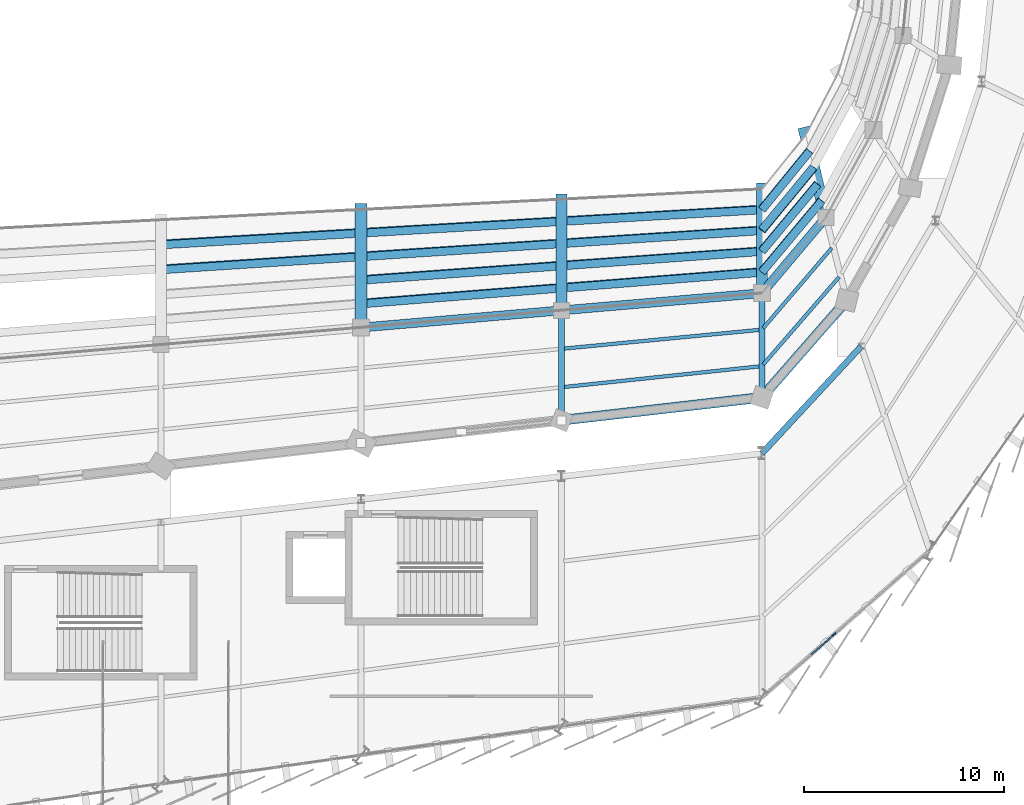
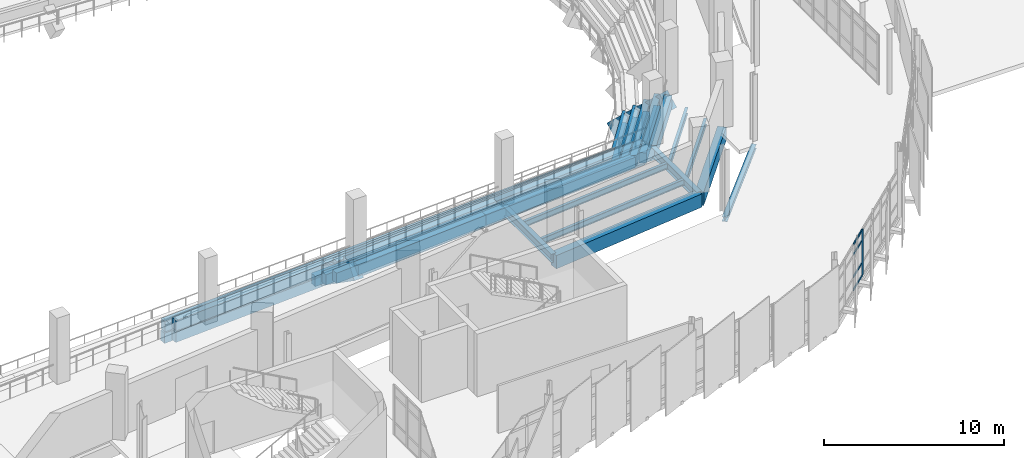
# One storey, part 65 of 134: 44 beams, 5 members, 1 element without a shape of its own.
"""IFC4 building model written with IfcOpenShell, lengths in metres."""

from ifc_helpers import new_model, si_unit, direction, frame, origin, origin_2d, place, context, subcontext, project, spatial, rectangle, i_section, extrude, material, layer, layer_set, material_profile, profile_set, type_object, element, aggregate, save


model = new_model("IFC4")

# Units and contexts
model_context = context("Model", 3, precision=1e-05, world=origin(), true_north=direction((0.0, 1.0)))
body_context = subcontext(model_context, "Body", "Model", "MODEL_VIEW")
ifc_project = project(units=[si_unit("LENGTHUNIT", "METRE"), si_unit("AREAUNIT", "SQUARE_METRE"), si_unit("VOLUMEUNIT", "CUBIC_METRE"), si_unit("PLANEANGLEUNIT", "RADIAN"), si_unit("MASSUNIT", "GRAM", prefix="KILO")], contexts=[model_context])

# Site, building, storey
site_placement = place(None, origin())
site = spatial("IfcSite", under=ifc_project, at=site_placement, CompositionType="ELEMENT")
building_placement = place(site_placement, origin())
building = spatial("IfcBuilding", under=site, at=building_placement, Name="Sohan Crest Arena", CompositionType="ELEMENT")
storey_placement = place(building_placement, frame((0.0, 0.0, 4.5)))
storey = spatial("IfcBuildingStorey", under=building, at=storey_placement, Name="L01", CompositionType="ELEMENT", Elevation=4.5)

# Curtain wall, members
ifc_material_1 = material(Name="Thermally broken anodised aluminium", Category="aluminium")
ifc_layer = layer(ifc_material_1, 0.199951171875, Name="Thermally broken anodised aluminium")
ifc_layer_set = layer_set([ifc_layer], Name="Thermally broken anodised aluminium")
curtain_wall_type = type_object("IfcCurtainWallType", Name="ARC-CW02", PredefinedType="NOTDEFINED", material=ifc_layer_set)
curtain_wall_placement = place(storey_placement, origin())
curtain_wall = element("IfcCurtainWall", 1, at=curtain_wall_placement, inside=storey, type_object=curtain_wall_type, Name="Unitised curtain wall CW-037", PredefinedType="NOTDEFINED")
ifc_material_profile_1 = material_profile(ifc_material_1, rectangle(XDim=0.074951171875, YDim=0.219970703125, at=origin_2d()), Name="ALU-MULL 75x220")
ifc_profile_set_1 = profile_set([ifc_material_profile_1], Name="Thermally broken anodised aluminium")
member_type_1 = type_object("IfcMemberType", Name="ARC-CW-ML04", PredefinedType="MULLION", material=ifc_profile_set_1)
member_1_placement = place(storey_placement, frame((171.606689453125, 43.164306640625, 0.0), z_axis=(0.0, 0.0, 1.0), x_axis=(-0.659511551903, 0.751694427881, 0.0)))
member_1 = element("IfcMember", 2, at=member_1_placement, type_object=member_type_1, Name="CW-037 mullion 4", PredefinedType="MULLION", context=body_context, shape_type="SweptSolid", body=[
    extrude(rectangle(XDim=0.074951171875, YDim=0.219970703125, at=origin_2d()), origin(), (0.0, 0.0, 1.0), 3.1201171875),
])
ifc_material_profile_2 = material_profile(ifc_material_1, rectangle(XDim=0.06494140625, YDim=0.139892578125, at=origin_2d()), Name="ALU-TRAN 65x140")
ifc_profile_set_2 = profile_set([ifc_material_profile_2], Name="Thermally broken anodised aluminium")
member_type_2 = type_object("IfcMemberType", Name="ARC-CW-TR02", PredefinedType="USERDEFINED", material=ifc_profile_set_2)
member_2_placement = place(storey_placement, frame((170.46533203125, 42.1630859375, 0.032470703125), z_axis=(0.751759112871, 0.659437818308, 0.0), x_axis=(-0.659437818308, 0.751759112871, 0.0)))
member_2 = element("IfcMember", 3, at=member_2_placement, type_object=member_type_2, Name="CW-037 transom 3.1", ObjectType="TRANSOM", PredefinedType="USERDEFINED", context=body_context, shape_type="SweptSolid", body=[
    extrude(rectangle(XDim=0.06494140625, YDim=0.139892578125, at=origin_2d()), origin(), (0.0, 0.0, 1.0), 1.48095703125),
])
member_3_placement = place(storey_placement, frame((170.46533203125, 42.1630859375, 0.89990234375), z_axis=(0.751759112871, 0.659437818308, 0.0), x_axis=(-0.659437818308, 0.751759112871, 0.0)))
member_3 = element("IfcMember", 4, at=member_3_placement, type_object=member_type_2, Name="CW-037 transom 3.2", ObjectType="TRANSOM", PredefinedType="USERDEFINED", context=body_context, shape_type="SweptSolid", body=[
    extrude(rectangle(XDim=0.06494140625, YDim=0.139892578125, at=origin_2d()), origin(), (0.0, 0.0, 1.0), 1.48095703125),
])
member_4_placement = place(storey_placement, frame((170.46533203125, 42.1630859375, 2.419921875), z_axis=(0.751759112871, 0.659437818308, 0.0), x_axis=(-0.659437818308, 0.751759112871, 0.0)))
member_4 = element("IfcMember", 5, at=member_4_placement, type_object=member_type_2, Name="CW-037 transom 3.3", ObjectType="TRANSOM", PredefinedType="USERDEFINED", context=body_context, shape_type="SweptSolid", body=[
    extrude(rectangle(XDim=0.06494140625, YDim=0.139892578125, at=origin_2d()), origin(), (0.0, 0.0, 1.0), 1.48095703125),
])
member_5_placement = place(storey_placement, frame((170.46533203125, 42.1630859375, 3.08740234375), z_axis=(0.751759112871, 0.659437818308, 0.0), x_axis=(-0.659437818308, 0.751759112871, 0.0)))
member_5 = element("IfcMember", 6, at=member_5_placement, type_object=member_type_2, Name="CW-037 transom 3.4", ObjectType="TRANSOM", PredefinedType="USERDEFINED", context=body_context, shape_type="SweptSolid", body=[
    extrude(rectangle(XDim=0.06494140625, YDim=0.139892578125, at=origin_2d()), origin(), (0.0, 0.0, 1.0), 1.48095703125),
])
aggregate(curtain_wall, [member_1, member_2, member_3, member_4, member_5])

# Beams
ifc_material_2 = material(Name="Steel S355", Category="steel")
ifc_material_profile_3 = material_profile(ifc_material_2, i_section(OverallWidth=0.179931640625, OverallDepth=0.39990234375, WebThickness=0.008544921875, FlangeThickness=0.013427734375, at=origin_2d()), Name="IPE 400")
ifc_profile_set_3 = profile_set([ifc_material_profile_3], Name="Steel S355")
beam_type_1 = type_object("IfcBeamType", Name="STR-BM-B03", PredefinedType="JOIST", material=ifc_profile_set_3)
beam_1_placement = place(storey_placement, frame((158.10888671875, 57.43310546875, -0.449951171875), z_axis=(0.995443739336, 0.095350730547, 0.0), x_axis=(-0.095350730547, 0.995443739336, 0.0)))
element("IfcBeam", 7, at=beam_1_placement, inside=storey, type_object=beam_type_1, Name="Structural beam J-L01-0463", PredefinedType="JOIST", context=body_context, shape_type="SweptSolid", body=[
    extrude(i_section(OverallWidth=0.179931640625, OverallDepth=0.39990234375, WebThickness=0.008544921875, FlangeThickness=0.013427734375, at=origin_2d()), origin(), (0.0, 0.0, 1.0), 9.826904296875),
])
beam_2_placement = place(storey_placement, frame((158.10888671875, 55.514892578125, -0.449951171875), z_axis=(0.994468399553, 0.105036195141, 0.0), x_axis=(-0.105036195141, 0.994468399553, 0.0)))
element("IfcBeam", 8, at=beam_2_placement, inside=storey, type_object=beam_type_1, Name="Structural beam J-L01-0464", PredefinedType="JOIST", context=body_context, shape_type="SweptSolid", body=[
    extrude(i_section(OverallWidth=0.179931640625, OverallDepth=0.39990234375, WebThickness=0.008544921875, FlangeThickness=0.013427734375, at=origin_2d()), origin(), (0.0, 0.0, 1.0), 9.836669921875),
])
beam_3_placement = place(storey_placement, frame((168.072021484375, 58.464111328125, -0.449951171875), z_axis=(0.65046216093, 0.759538660766, 0.0), x_axis=(-0.759538660766, 0.65046216093, 0.0)))
element("IfcBeam", 9, at=beam_3_placement, inside=storey, type_object=beam_type_1, Name="Structural beam J-L01-0485", PredefinedType="JOIST", context=body_context, shape_type="SweptSolid", body=[
    extrude(i_section(OverallWidth=0.179931640625, OverallDepth=0.39990234375, WebThickness=0.008544921875, FlangeThickness=0.013427734375, at=origin_2d()), origin(), (0.0, 0.0, 1.0), 5.253173828125),
])
beam_4_placement = place(storey_placement, frame((168.072021484375, 56.64306640625, -0.449951171875), z_axis=(0.655191219496, 0.755463080432, 0.0), x_axis=(-0.755463080432, 0.655191219496, 0.0)))
element("IfcBeam", 10, at=beam_4_placement, inside=storey, type_object=beam_type_1, Name="Structural beam J-L01-0486", PredefinedType="JOIST", context=body_context, shape_type="SweptSolid", body=[
    extrude(i_section(OverallWidth=0.179931640625, OverallDepth=0.39990234375, WebThickness=0.008544921875, FlangeThickness=0.013427734375, at=origin_2d()), origin(), (0.0, 0.0, 1.0), 5.775390625),
])
ifc_material_profile_4 = material_profile(ifc_material_2, i_section(OverallWidth=0.300048828125, OverallDepth=0.590087890625, WebThickness=0.012939453125, FlangeThickness=0.02490234375, at=origin_2d()), Name="HEA 600")
ifc_profile_set_4 = profile_set([ifc_material_profile_4], Name="Steel S355")
beam_type_2 = type_object("IfcBeamType", Name="STR-BM-B11", PredefinedType="BEAM", material=ifc_profile_set_4)
beam_5_placement = place(storey_placement, frame((158.0, 59.343017578125, -0.544921875), z_axis=(0.0, -1.0, 0.0), x_axis=(1.0, 0.0, 0.0)))
element("IfcBeam", 11, at=beam_5_placement, inside=storey, type_object=beam_type_2, Name="Structural beam G-L01-0462", PredefinedType="BEAM", context=body_context, shape_type="SweptSolid", body=[
    extrude(i_section(OverallWidth=0.300048828125, OverallDepth=0.590087890625, WebThickness=0.012939453125, FlangeThickness=0.02490234375, at=origin_2d()), origin(), (0.0, 0.0, 1.0), 5.486083984375),
])
beam_6_placement = place(storey_placement, frame((168.0, 60.199951171875, -0.544921875), z_axis=(0.0, -1.0, 0.0), x_axis=(1.0, 0.0, 0.0)))
element("IfcBeam", 12, at=beam_6_placement, inside=storey, type_object=beam_type_2, Name="Structural beam G-L01-0484", PredefinedType="BEAM", context=body_context, shape_type="SweptSolid", body=[
    extrude(i_section(OverallWidth=0.300048828125, OverallDepth=0.590087890625, WebThickness=0.012939453125, FlangeThickness=0.02490234375, at=origin_2d()), origin(), (0.0, 0.0, 1.0), 5.199951171875),
])
ifc_material_profile_5 = material_profile(ifc_material_2, i_section(OverallWidth=0.300048828125, OverallDepth=0.300048828125, WebThickness=0.010986328125, FlangeThickness=0.01904296875, at=origin_2d()), Name="HEB 300")
ifc_profile_set_5 = profile_set([ifc_material_profile_5], Name="Steel S355")
beam_type_3 = type_object("IfcBeamType", Name="STR-BM-B12", PredefinedType="BEAM", material=ifc_profile_set_5)
beam_7_placement = place(storey_placement, frame((168.0, 52.199951171875, -0.425048828125), z_axis=(0.680135214567, 0.733086686488, 0.0), x_axis=(-0.733086686488, 0.680135214567, 0.0)))
element("IfcBeam", 13, at=beam_7_placement, inside=storey, type_object=beam_type_3, Name="Structural beam G-L01-1173", PredefinedType="BEAM", context=body_context, shape_type="SweptSolid", body=[
    extrude(i_section(OverallWidth=0.300048828125, OverallDepth=0.300048828125, WebThickness=0.010986328125, FlangeThickness=0.01904296875, at=origin_2d()), origin(), (0.0, 0.0, 1.0), 7.2939453125),
])
ifc_material_3 = material(Name="Precast concrete C50/60", Category="concrete")
ifc_material_profile_6 = material_profile(ifc_material_3, rectangle(XDim=0.550048828125, YDim=0.89990234375, at=origin_2d()), Name="RAKER 550x900")
ifc_profile_set_6 = profile_set([ifc_material_profile_6], Name="Precast concrete C50/60")
beam_type_4 = type_object("IfcBeamType", Name="STR-BM-RK01", PredefinedType="USERDEFINED", material=ifc_profile_set_6)
beam_8_placement = place(storey_placement, frame((158.0, 64.885986328125, -4.75), z_axis=(0.0, -0.803959729241, 0.594683742639), x_axis=(1.0, 0.0, 0.0)))
element("IfcBeam", 14, at=beam_8_placement, inside=storey, type_object=beam_type_4, Name="Structural beam RK-L01-0865", ObjectType="RAKER", PredefinedType="USERDEFINED", context=body_context, shape_type="SweptSolid", body=[
    extrude(rectangle(XDim=0.550048828125, YDim=0.89990234375, at=origin_2d()), origin(), (0.0, 0.0, 1.0), 6.89453125),
])
ifc_material_profile_7 = material_profile(ifc_material_3, rectangle(XDim=0.550048828125, YDim=1.0, at=origin_2d()), Name="RAKER 550x1000")
ifc_profile_set_7 = profile_set([ifc_material_profile_7], Name="Precast concrete C50/60")
beam_type_5 = type_object("IfcBeamType", Name="STR-BM-RK02", PredefinedType="USERDEFINED", material=ifc_profile_set_7)
beam_9_placement = place(storey_placement, frame((168.0, 65.39990234375, -4.75), z_axis=(0.0, -0.785259168609, 0.619167213372), x_axis=(1.0, 0.0, 0.0)))
element("IfcBeam", 15, at=beam_9_placement, inside=storey, type_object=beam_type_5, Name="Structural beam RK-L01-0868", ObjectType="RAKER", PredefinedType="USERDEFINED", context=body_context, shape_type="SweptSolid", body=[
    extrude(rectangle(XDim=0.550048828125, YDim=1.0, at=origin_2d()), origin(), (0.0, 0.0, 1.0), 6.6220703125),
])
ifc_material_profile_8 = material_profile(ifc_material_3, rectangle(XDim=0.60009765625, YDim=1.10009765625, at=origin_2d()), Name="RAKER 600x1100")
ifc_profile_set_8 = profile_set([ifc_material_profile_8], Name="Precast concrete C50/60")
beam_type_6 = type_object("IfcBeamType", Name="STR-BM-RK03", PredefinedType="USERDEFINED", material=ifc_profile_set_8)
beam_10_placement = place(storey_placement, frame((148.0, 64.37109375, -4.75), z_axis=(0.0, -0.820501216025, 0.571644780001), x_axis=(1.0, 0.0, 0.0)))
element("IfcBeam", 16, at=beam_10_placement, inside=storey, type_object=beam_type_6, Name="Structural beam RK-L01-0862", ObjectType="RAKER", PredefinedType="USERDEFINED", context=body_context, shape_type="SweptSolid", body=[
    extrude(rectangle(XDim=0.60009765625, YDim=1.10009765625, at=origin_2d()), origin(), (0.0, 0.0, 1.0), 7.17236328125),
])
beam_11_placement = place(storey_placement, frame((170.18603515625, 68.112060546875, -4.75), z_axis=(0.170796844686, -0.698740687925, 0.694686899894), x_axis=(0.971401069837, 0.237444649382, 0.0)))
element("IfcBeam", 17, at=beam_11_placement, inside=storey, type_object=beam_type_6, Name="Structural beam RK-L01-0871", ObjectType="RAKER", PredefinedType="USERDEFINED", context=body_context, shape_type="SweptSolid", body=[
    extrude(rectangle(XDim=0.60009765625, YDim=1.10009765625, at=origin_2d()), origin(), (0.0, 0.0, 1.0), 5.902099609375),
])
ifc_material_4 = material(Name="Concrete C40/50", Category="concrete")
ifc_material_profile_9 = material_profile(ifc_material_4, rectangle(XDim=0.39990234375, YDim=0.699951171875, at=origin_2d()), Name="RC-BM 400x700")
ifc_profile_set_9 = profile_set([ifc_material_profile_9], Name="Concrete C40/50")
beam_type_7 = type_object("IfcBeamType", Name="STR-BM-TB01", PredefinedType="BEAM", material=ifc_profile_set_9)
beam_12_placement = place(storey_placement, frame((138.0, 62.660888671875, -4.220947265625), z_axis=(0.998321780946, 0.057910462684, 0.0), x_axis=(-0.057910462684, 0.998321780946, 0.0)))
element("IfcBeam", 18, at=beam_12_placement, inside=storey, type_object=beam_type_7, Name="Tier rear stringer beam TSB-L131B", PredefinedType="BEAM", context=body_context, shape_type="SweptSolid", body=[
    extrude(rectangle(XDim=0.39990234375, YDim=0.699951171875, at=origin_2d()), origin(), (0.0, 0.0, 1.0), 10.016845703125),
])
beam_13_placement = place(storey_placement, frame((138.0, 62.611083984375, -3.40087890625), z_axis=(0.99830482962, 0.058201951492, 0.0), x_axis=(-0.058201951492, 0.99830482962, 0.0)))
element("IfcBeam", 19, at=beam_13_placement, inside=storey, type_object=beam_type_7, Name="Tier front stringer beam TSB-L132A", PredefinedType="BEAM", context=body_context, shape_type="SweptSolid", body=[
    extrude(rectangle(XDim=0.39990234375, YDim=0.699951171875, at=origin_2d()), origin(), (0.0, 0.0, 1.0), 10.01708984375),
])
beam_14_placement = place(storey_placement, frame((138.0, 61.416015625, -3.40087890625), z_axis=(0.997907395912, 0.064659331757, 0.0), x_axis=(-0.064659331757, 0.997907395912, 0.0)))
element("IfcBeam", 20, at=beam_14_placement, inside=storey, type_object=beam_type_7, Name="Tier rear stringer beam TSB-L132B", PredefinedType="BEAM", context=body_context, shape_type="SweptSolid", body=[
    extrude(rectangle(XDim=0.39990234375, YDim=0.699951171875, at=origin_2d()), origin(), (0.0, 0.0, 1.0), 10.02099609375),
])
beam_15_placement = place(storey_placement, frame((138.0, 61.365966796875, -2.5810546875), z_axis=(0.99788691053, 0.064974716562, 0.0), x_axis=(-0.064974716562, 0.99788691053, 0.0)))
element("IfcBeam", 21, at=beam_15_placement, inside=storey, type_object=beam_type_7, Name="Tier front stringer beam TSB-L133A", PredefinedType="BEAM", context=body_context, shape_type="SweptSolid", body=[
    extrude(rectangle(XDim=0.39990234375, YDim=0.699951171875, at=origin_2d()), origin(), (0.0, 0.0, 1.0), 10.021240234375),
])
beam_16_placement = place(storey_placement, frame((148.0, 63.240966796875, -4.220947265625), z_axis=(0.998316139897, 0.058007627269, 0.0), x_axis=(-0.058007627269, 0.998316139897, 0.0)))
element("IfcBeam", 22, at=beam_16_placement, inside=storey, type_object=beam_type_7, Name="Tier rear stringer beam TSB-L141B", PredefinedType="BEAM", context=body_context, shape_type="SweptSolid", body=[
    extrude(rectangle(XDim=0.39990234375, YDim=0.699951171875, at=origin_2d()), origin(), (0.0, 0.0, 1.0), 10.016845703125),
])
beam_17_placement = place(storey_placement, frame((148.0, 63.194091796875, -3.40087890625), z_axis=(0.99830482962, 0.058201951492, 0.0), x_axis=(-0.058201951492, 0.99830482962, 0.0)))
element("IfcBeam", 23, at=beam_17_placement, inside=storey, type_object=beam_type_7, Name="Tier front stringer beam TSB-L142A", PredefinedType="BEAM", context=body_context, shape_type="SweptSolid", body=[
    extrude(rectangle(XDim=0.39990234375, YDim=0.699951171875, at=origin_2d()), origin(), (0.0, 0.0, 1.0), 10.01708984375),
])
beam_18_placement = place(storey_placement, frame((148.0, 62.06396484375, -3.40087890625), z_axis=(0.997901103245, 0.064756375303, 0.0), x_axis=(-0.064756375303, 0.997901103245, 0.0)))
element("IfcBeam", 24, at=beam_18_placement, inside=storey, type_object=beam_type_7, Name="Tier rear stringer beam TSB-L142B", PredefinedType="BEAM", context=body_context, shape_type="SweptSolid", body=[
    extrude(rectangle(XDim=0.39990234375, YDim=0.699951171875, at=origin_2d()), origin(), (0.0, 0.0, 1.0), 10.02099609375),
])
beam_19_placement = place(storey_placement, frame((148.0, 62.01708984375, -2.5810546875), z_axis=(0.997882169099, 0.06504749491, 0.0), x_axis=(-0.06504749491, 0.997882169099, 0.0)))
element("IfcBeam", 25, at=beam_19_placement, inside=storey, type_object=beam_type_7, Name="Tier front stringer beam TSB-L143A", PredefinedType="BEAM", context=body_context, shape_type="SweptSolid", body=[
    extrude(rectangle(XDim=0.39990234375, YDim=0.699951171875, at=origin_2d()), origin(), (0.0, 0.0, 1.0), 10.021240234375),
])
beam_20_placement = place(storey_placement, frame((148.0, 60.886962890625, -2.5810546875), z_axis=(0.997432178322, 0.071617383702, 0.0), x_axis=(-0.071617383702, 0.997432178322, 0.0)))
element("IfcBeam", 26, at=beam_20_placement, inside=storey, type_object=beam_type_7, Name="Tier rear stringer beam TSB-L143B", PredefinedType="BEAM", context=body_context, shape_type="SweptSolid", body=[
    extrude(rectangle(XDim=0.39990234375, YDim=0.699951171875, at=origin_2d()), origin(), (0.0, 0.0, 1.0), 10.025634765625),
])
beam_21_placement = place(storey_placement, frame((148.0, 60.840087890625, -1.760986328125), z_axis=(0.997418243661, 0.07181119142, 0.0), x_axis=(-0.07181119142, 0.997418243661, 0.0)))
element("IfcBeam", 27, at=beam_21_placement, inside=storey, type_object=beam_type_7, Name="Tier front stringer beam TSB-L144A", PredefinedType="BEAM", context=body_context, shape_type="SweptSolid", body=[
    extrude(rectangle(XDim=0.39990234375, YDim=0.699951171875, at=origin_2d()), origin(), (0.0, 0.0, 1.0), 10.02587890625),
])
beam_22_placement = place(storey_placement, frame((148.0, 59.7099609375, -1.760986328125), z_axis=(0.996924225014, 0.078371484486, 0.0), x_axis=(-0.078371484486, 0.996924225014, 0.0)))
element("IfcBeam", 28, at=beam_22_placement, inside=storey, type_object=beam_type_7, Name="Tier rear stringer beam TSB-L144B", PredefinedType="BEAM", context=body_context, shape_type="SweptSolid", body=[
    extrude(rectangle(XDim=0.39990234375, YDim=0.699951171875, at=origin_2d()), origin(), (0.0, 0.0, 1.0), 10.03076171875),
])
beam_23_placement = place(storey_placement, frame((148.0, 59.6630859375, -0.94091796875), z_axis=(0.996903272189, 0.078637560362, 0.0), x_axis=(-0.078637560362, 0.996903272189, 0.0)))
element("IfcBeam", 29, at=beam_23_placement, inside=storey, type_object=beam_type_7, Name="Tier front stringer beam TSB-L145A", PredefinedType="BEAM", context=body_context, shape_type="SweptSolid", body=[
    extrude(rectangle(XDim=0.39990234375, YDim=0.699951171875, at=origin_2d()), origin(), (0.0, 0.0, 1.0), 10.031005859375),
])
beam_24_placement = place(storey_placement, frame((158.0, 63.822021484375, -4.220947265625), z_axis=(0.998321780946, 0.057910462684, 0.0), x_axis=(-0.057910462684, 0.998321780946, 0.0)))
element("IfcBeam", 30, at=beam_24_placement, inside=storey, type_object=beam_type_7, Name="Tier rear stringer beam TSB-L151B", PredefinedType="BEAM", context=body_context, shape_type="SweptSolid", body=[
    extrude(rectangle(XDim=0.39990234375, YDim=0.699951171875, at=origin_2d()), origin(), (0.0, 0.0, 1.0), 10.016845703125),
])
beam_25_placement = place(storey_placement, frame((158.0, 63.777099609375, -3.40087890625), z_axis=(0.99830482962, 0.058201951492, 0.0), x_axis=(-0.058201951492, 0.99830482962, 0.0)))
element("IfcBeam", 31, at=beam_25_placement, inside=storey, type_object=beam_type_7, Name="Tier front stringer beam TSB-L152A", PredefinedType="BEAM", context=body_context, shape_type="SweptSolid", body=[
    extrude(rectangle(XDim=0.39990234375, YDim=0.699951171875, at=origin_2d()), origin(), (0.0, 0.0, 1.0), 10.01708984375),
])
beam_26_placement = place(storey_placement, frame((158.0, 62.712890625, -3.40087890625), z_axis=(0.997899528616, 0.064780635903, 0.0), x_axis=(-0.064780635903, 0.997899528616, 0.0)))
element("IfcBeam", 32, at=beam_26_placement, inside=storey, type_object=beam_type_7, Name="Tier rear stringer beam TSB-L152B", PredefinedType="BEAM", context=body_context, shape_type="SweptSolid", body=[
    extrude(rectangle(XDim=0.39990234375, YDim=0.699951171875, at=origin_2d()), origin(), (0.0, 0.0, 1.0), 10.02099609375),
])
beam_27_placement = place(storey_placement, frame((158.0, 62.6689453125, -2.5810546875), z_axis=(0.99788691053, 0.064974716562, 0.0), x_axis=(-0.064974716562, 0.99788691053, 0.0)))
element("IfcBeam", 33, at=beam_27_placement, inside=storey, type_object=beam_type_7, Name="Tier front stringer beam TSB-L153A", PredefinedType="BEAM", context=body_context, shape_type="SweptSolid", body=[
    extrude(rectangle(XDim=0.39990234375, YDim=0.699951171875, at=origin_2d()), origin(), (0.0, 0.0, 1.0), 10.021240234375),
])
beam_28_placement = place(storey_placement, frame((158.0, 61.60498046875, -2.5810546875), z_axis=(0.997439131676, 0.0715204768, 0.0), x_axis=(-0.0715204768, 0.997439131676, 0.0)))
element("IfcBeam", 34, at=beam_28_placement, inside=storey, type_object=beam_type_7, Name="Tier rear stringer beam TSB-L153B", PredefinedType="BEAM", context=body_context, shape_type="SweptSolid", body=[
    extrude(rectangle(XDim=0.39990234375, YDim=0.699951171875, at=origin_2d()), origin(), (0.0, 0.0, 1.0), 10.025634765625),
])
beam_29_placement = place(storey_placement, frame((158.0, 61.56005859375, -1.760986328125), z_axis=(0.997418243661, 0.07181119142, 0.0), x_axis=(-0.07181119142, 0.997418243661, 0.0)))
element("IfcBeam", 35, at=beam_29_placement, inside=storey, type_object=beam_type_7, Name="Tier front stringer beam TSB-L154A", PredefinedType="BEAM", context=body_context, shape_type="SweptSolid", body=[
    extrude(rectangle(XDim=0.39990234375, YDim=0.699951171875, at=origin_2d()), origin(), (0.0, 0.0, 1.0), 10.02587890625),
])
beam_30_placement = place(storey_placement, frame((158.0, 60.49609375, -1.760986328125), z_axis=(0.996926126338, 0.078347294939, 0.0), x_axis=(-0.078347294939, 0.996926126338, 0.0)))
element("IfcBeam", 36, at=beam_30_placement, inside=storey, type_object=beam_type_7, Name="Tier rear stringer beam TSB-L154B", PredefinedType="BEAM", context=body_context, shape_type="SweptSolid", body=[
    extrude(rectangle(XDim=0.39990234375, YDim=0.699951171875, at=origin_2d()), origin(), (0.0, 0.0, 1.0), 10.03076171875),
])
beam_31_placement = place(storey_placement, frame((158.0, 60.451904296875, -0.94091796875), z_axis=(0.996908993551, 0.078564995878, 0.0), x_axis=(-0.078564995878, 0.996908993551, 0.0)))
element("IfcBeam", 37, at=beam_31_placement, inside=storey, type_object=beam_type_7, Name="Tier front stringer beam TSB-L155A", PredefinedType="BEAM", context=body_context, shape_type="SweptSolid", body=[
    extrude(rectangle(XDim=0.39990234375, YDim=0.699951171875, at=origin_2d()), origin(), (0.0, 0.0, 1.0), 10.031005859375),
])
beam_32_placement = place(storey_placement, frame((168.0, 64.402099609375, -4.220947265625), z_axis=(0.632036570672, 0.774938561005, 0.0), x_axis=(-0.774938561005, 0.632036570672, 0.0)))
element("IfcBeam", 38, at=beam_32_placement, inside=storey, type_object=beam_type_7, Name="Tier rear stringer beam TSB-L161B", PredefinedType="BEAM", context=body_context, shape_type="SweptSolid", body=[
    extrude(rectangle(XDim=0.39990234375, YDim=0.699951171875, at=origin_2d()), origin(), (0.0, 0.0, 1.0), 3.765380859375),
])
beam_33_placement = place(storey_placement, frame((168.0, 64.360107421875, -3.40087890625), z_axis=(0.632146129713, 0.774849192223, 0.0), x_axis=(-0.774849192223, 0.632146129713, 0.0)))
element("IfcBeam", 39, at=beam_33_placement, inside=storey, type_object=beam_type_7, Name="Tier front stringer beam TSB-L162A", PredefinedType="BEAM", context=body_context, shape_type="SweptSolid", body=[
    extrude(rectangle(XDim=0.39990234375, YDim=0.699951171875, at=origin_2d()), origin(), (0.0, 0.0, 1.0), 3.777587890625),
])
beam_34_placement = place(storey_placement, frame((168.0, 63.362060546875, -3.40087890625), z_axis=(0.635837947532, 0.771822586141, 0.0), x_axis=(-0.771822586141, 0.635837947532, 0.0)))
element("IfcBeam", 40, at=beam_34_placement, inside=storey, type_object=beam_type_7, Name="Tier rear stringer beam TSB-L162B", PredefinedType="BEAM", context=body_context, shape_type="SweptSolid", body=[
    extrude(rectangle(XDim=0.39990234375, YDim=0.699951171875, at=origin_2d()), origin(), (0.0, 0.0, 1.0), 4.059326171875),
])
beam_35_placement = place(storey_placement, frame((168.0, 63.320068359375, -2.5810546875), z_axis=(0.635957352759, 0.771724202985, 0.0), x_axis=(-0.771724202985, 0.635957352759, 0.0)))
element("IfcBeam", 41, at=beam_35_placement, inside=storey, type_object=beam_type_7, Name="Tier front stringer beam TSB-L163A", PredefinedType="BEAM", context=body_context, shape_type="SweptSolid", body=[
    extrude(rectangle(XDim=0.39990234375, YDim=0.699951171875, at=origin_2d()), origin(), (0.0, 0.0, 1.0), 4.0712890625),
])
beam_36_placement = place(storey_placement, frame((168.0, 62.322021484375, -2.5810546875), z_axis=(0.639130436144, 0.769098358855, 0.0), x_axis=(-0.769098358855, 0.639130436144, 0.0)))
element("IfcBeam", 42, at=beam_36_placement, inside=storey, type_object=beam_type_7, Name="Tier rear stringer beam TSB-L163B", PredefinedType="BEAM", context=body_context, shape_type="SweptSolid", body=[
    extrude(rectangle(XDim=0.39990234375, YDim=0.699951171875, at=origin_2d()), origin(), (0.0, 0.0, 1.0), 4.354248046875),
])
beam_37_placement = place(storey_placement, frame((168.0, 62.280029296875, -1.760986328125), z_axis=(0.639204932568, 0.769036445288, 0.0), x_axis=(-0.769036445288, 0.639204932568, 0.0)))
element("IfcBeam", 43, at=beam_37_placement, inside=storey, type_object=beam_type_7, Name="Tier front stringer beam TSB-L164A", PredefinedType="BEAM", context=body_context, shape_type="SweptSolid", body=[
    extrude(rectangle(XDim=0.39990234375, YDim=0.699951171875, at=origin_2d()), origin(), (0.0, 0.0, 1.0), 4.366455078125),
])
beam_38_placement = place(storey_placement, frame((168.0, 61.281982421875, -1.760986328125), z_axis=(0.641949582809, 0.766746850748, 0.0), x_axis=(-0.766746850748, 0.641949582809, 0.0)))
element("IfcBeam", 44, at=beam_38_placement, inside=storey, type_object=beam_type_7, Name="Tier rear stringer beam TSB-L164B", PredefinedType="BEAM", context=body_context, shape_type="SweptSolid", body=[
    extrude(rectangle(XDim=0.39990234375, YDim=0.699951171875, at=origin_2d()), origin(), (0.0, 0.0, 1.0), 4.648193359375),
])
beam_39_placement = place(storey_placement, frame((168.0, 61.239990234375, -0.94091796875), z_axis=(0.642011861857, 0.766694704061, 0.0), x_axis=(-0.766694704061, 0.642011861857, 0.0)))
element("IfcBeam", 45, at=beam_39_placement, inside=storey, type_object=beam_type_7, Name="Tier front stringer beam TSB-L165A", PredefinedType="BEAM", context=body_context, shape_type="SweptSolid", body=[
    extrude(rectangle(XDim=0.39990234375, YDim=0.699951171875, at=origin_2d()), origin(), (0.0, 0.0, 1.0), 4.66015625),
])
ifc_material_profile_10 = material_profile(ifc_material_4, rectangle(XDim=0.449951171875, YDim=0.800048828125, at=origin_2d()), Name="RC-BM 450x800")
ifc_profile_set_10 = profile_set([ifc_material_profile_10], Name="Concrete C40/50")
beam_type_8 = type_object("IfcBeamType", Name="STR-BM-TB02", PredefinedType="BEAM", material=ifc_profile_set_10)
for number, where, z_axis, x_axis, name in (
    (46, (148.0, 58.486083984375, -0.64990234375), (0.996348422929, 0.085380443469, 0.0), (-0.085380443469, 0.996348422929, 0.0), "Structural beam TB-L01-0438"),
    (47, (158.0, 59.343017578125, -0.64990234375), (0.996348422929, 0.085380443469, 0.0), (-0.085380443469, 0.996348422929, 0.0), "Structural beam TB-L01-0460"),
):
    element("IfcBeam", number, at=place(storey_placement, frame(where, z_axis=z_axis, x_axis=x_axis)), inside=storey, type_object=beam_type_8, Name=name, PredefinedType="BEAM", context=body_context, shape_type="SweptSolid", body=[
        extrude(rectangle(XDim=0.449951171875, YDim=0.800048828125, at=origin_2d()), origin(), (0.0, 0.0, 1.0), 10.03662109375),
    ])
beam_40_placement = place(storey_placement, frame((168.0, 60.199951171875, -0.64990234375), z_axis=(0.644622663131, 0.764500897435, 0.0), x_axis=(-0.764500897435, 0.644622663131, 0.0)))
element("IfcBeam", 48, at=beam_40_placement, inside=storey, type_object=beam_type_8, Name="Structural beam TB-L01-0482", PredefinedType="BEAM", context=body_context, shape_type="SweptSolid", body=[
    extrude(rectangle(XDim=0.449951171875, YDim=0.800048828125, at=origin_2d()), origin(), (0.0, 0.0, 1.0), 4.955078125),
])
ifc_material_profile_11 = material_profile(ifc_material_4, rectangle(XDim=0.5, YDim=0.89990234375, at=origin_2d()), Name="RC-BM 500x900")
ifc_profile_set_11 = profile_set([ifc_material_profile_11], Name="Concrete C40/50")
beam_type_9 = type_object("IfcBeamType", Name="STR-BM-TB03", PredefinedType="BEAM", material=ifc_profile_set_11)
beam_41_placement = place(storey_placement, frame((158.0, 53.85693359375, -0.699951171875), z_axis=(0.99353032697, 0.113567114035, 0.0), x_axis=(-0.113567114035, 0.99353032697, 0.0)))
element("IfcBeam", 49, at=beam_41_placement, inside=storey, type_object=beam_type_9, Name="Structural beam TB-L01-0461", PredefinedType="BEAM", context=body_context, shape_type="SweptSolid", body=[
    extrude(rectangle(XDim=0.5, YDim=0.89990234375, at=origin_2d()), origin(), (0.0, 0.0, 1.0), 10.065185546875),
])
beam_42_placement = place(storey_placement, frame((168.0, 55.0, -0.699951171875), z_axis=(0.658743407002, 0.752367678553, 0.0), x_axis=(-0.752367678553, 0.658743407002, 0.0)))
element("IfcBeam", 50, at=beam_42_placement, inside=storey, type_object=beam_type_9, Name="Structural beam TB-L01-0483", PredefinedType="BEAM", context=body_context, shape_type="SweptSolid", body=[
    extrude(rectangle(XDim=0.5, YDim=0.89990234375, at=origin_2d()), origin(), (0.0, 0.0, 1.0), 6.44091796875),
])

save(model, "model.ifc")
